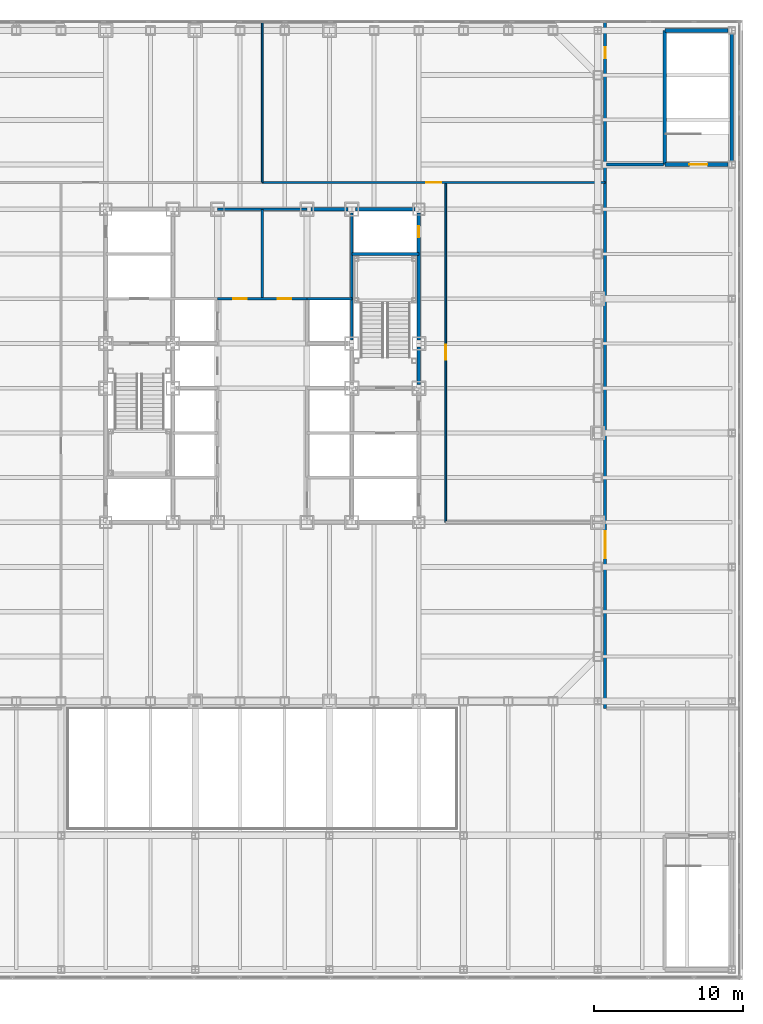
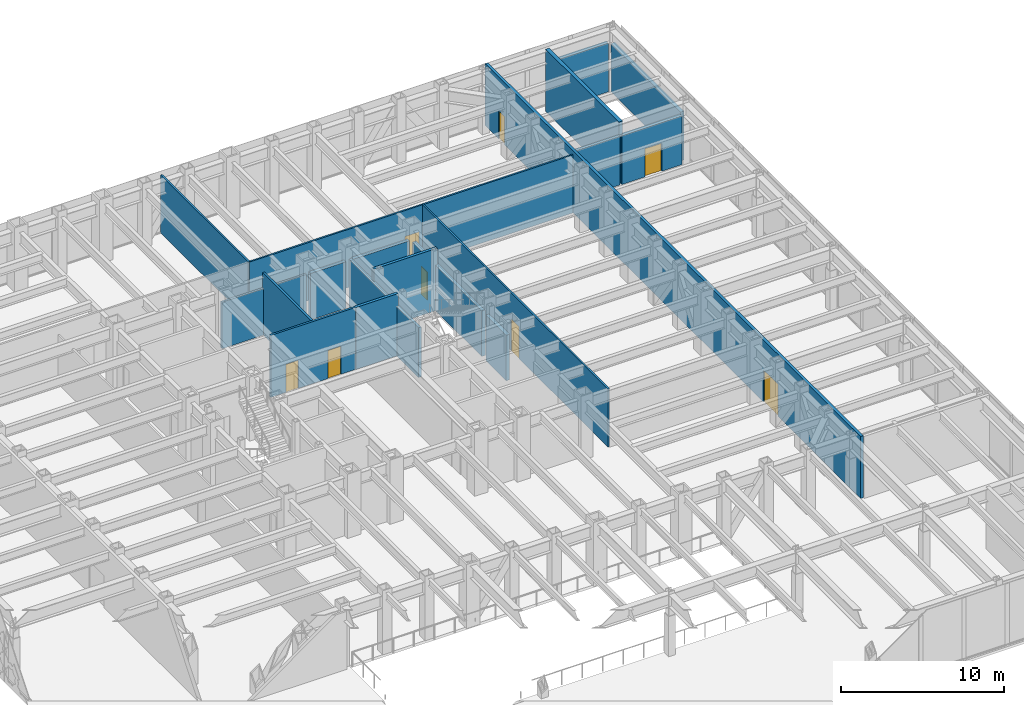
# One storey, part 15 of 24: 19 walls, 8 doors, 8 openings.
"""IFC4 building model written with IfcOpenShell, lengths in metres."""

from ifc_helpers import new_model, si_unit, direction, frame, frame_2d, origin, place, context, subcontext, project, spatial, rectangle, extrude, material, layer, layer_set, type_object, element, fill, save


model = new_model("IFC4")

# Units and contexts
model_context = context("Model", 3, precision=1e-05, world=origin(), true_north=direction((0.0, 1.0)))
body_context = subcontext(model_context, "Body", "Model", "MODEL_VIEW")
ifc_project = project(units=[si_unit("LENGTHUNIT", "METRE"), si_unit("AREAUNIT", "SQUARE_METRE"), si_unit("VOLUMEUNIT", "CUBIC_METRE"), si_unit("PLANEANGLEUNIT", "RADIAN"), si_unit("MASSUNIT", "GRAM", prefix="KILO")], contexts=[model_context])

# Site, building, storey
site_placement = place(None, origin())
site = spatial("IfcSite", under=ifc_project, at=site_placement, CompositionType="ELEMENT")
building_placement = place(site_placement, origin())
building = spatial("IfcBuilding", under=site, at=building_placement, Name="Chuquiago Exchange Tower", CompositionType="ELEMENT")
storey_placement = place(building_placement, frame((0.0, 0.0, 19.5)))
storey = spatial("IfcBuildingStorey", under=building, at=storey_placement, Name="L03", CompositionType="ELEMENT", Elevation=19.5)

# Walls
ifc_material_1 = material(Name="Concrete masonry, fully grouted", Category="masonry")
ifc_layer_1 = layer(ifc_material_1, 0.25)
ifc_layer_set_1 = layer_set([ifc_layer_1], Name="W1 core wall 250")
wall_type_1 = type_object("IfcWallType", Name="W1 core wall 250", PredefinedType="SOLIDWALL", material=ifc_layer_set_1)
wall_1_placement = place(storey_placement, frame((25.75, 33.0, 0.0), z_axis=(0.0, 0.0, 1.0), x_axis=(1.0, 0.0, 0.0)))
element("IfcWall", 1, at=wall_1_placement, inside=storey, type_object=wall_type_1, Name="CW-L03-12-0", PredefinedType="SOLIDWALL", context=body_context, shape_type="SweptSolid", body=[
    extrude(rectangle(XDim=2.5, YDim=0.25, at=frame_2d((1.25, 0.0))), origin(), (0.0, 0.0, 1.0), 3.4814453125),
])
wall_2_placement = place(storey_placement, frame((28.75, 33.0, 0.0), z_axis=(0.0, 0.0, 1.0), x_axis=(1.0, 0.0, 0.0)))
element("IfcWall", 2, at=wall_2_placement, inside=storey, type_object=wall_type_1, Name="CW-L03-12-1", PredefinedType="SOLIDWALL", context=body_context, shape_type="SweptSolid", body=[
    extrude(rectangle(XDim=4.0, YDim=0.25, at=frame_2d((2.0, 0.0))), origin(), (0.0, 0.0, 1.0), 3.4814453125),
])
wall_3_placement = place(storey_placement, frame((33.0, 21.25, 0.0), z_axis=(0.0, 0.0, 1.0), x_axis=(0.0, 1.0, 0.0)))
element("IfcWall", 3, at=wall_3_placement, inside=storey, type_object=wall_type_1, Name="CW-L03-25-1", PredefinedType="SOLIDWALL", context=body_context, shape_type="SweptSolid", body=[
    extrude(rectangle(XDim=2.5, YDim=0.25, at=frame_2d((1.25, 0.0))), origin(), (0.0, 0.0, 1.0), 3.412841796875),
])

# Wall, opening, door
wall_4_placement = place(storey_placement, frame((33.0, 24.25, 0.0), z_axis=(0.0, 0.0, 1.0), x_axis=(0.0, 1.0, 0.0)))
wall_4 = element("IfcWall", 4, at=wall_4_placement, inside=storey, type_object=wall_type_1, Name="CW-L03-25-2", PredefinedType="SOLIDWALL", context=body_context, shape_type="SweptSolid", body=[
    extrude(rectangle(XDim=8.5, YDim=0.25, at=frame_2d((4.25, 0.0))), origin(), (0.0, 0.0, 1.0), 3.412841796875),
])
opening_1_placement = place(wall_4_placement, frame((6.875, 0.0, 0.0)))
opening_1 = element("IfcOpeningElement", 5, at=opening_1_placement, cuts=wall_4, Name="Opening L03-010", PredefinedType="OPENING", context=body_context, shape_type="SweptSolid", body=[
    extrude(rectangle(XDim=0.75, YDim=2.10009765625, at=frame_2d((0.375, 1.050048828125))), frame((0.0, 0.135009765625, 0.0), z_axis=(0.0, -1.0, 0.0), x_axis=(1.0, 0.0, 0.0)), (0.0, 0.0, 1.0), 0.27001953125),
])
ifc_material_2 = material(Name="Steel door, painted", Category="steel")
door_type_1 = type_object("IfcDoorType", Name="D6 riser access door 750x2100", OperationType="SINGLE_SWING_LEFT", PredefinedType="DOOR", material=ifc_material_2)
door_1_placement = place(opening_1_placement, origin())
door_1 = element("IfcDoor", 6, at=door_1_placement, inside=storey, type_object=door_type_1, Name="Riser RE2 door", OperationType="SINGLE_SWING_RIGHT", OverallHeight=2.10009765625, OverallWidth=0.75, PredefinedType="DOOR", context=body_context, shape_type="SweptSolid", body=[
    extrude(rectangle(XDim=0.75, YDim=2.10009765625, at=frame_2d((0.375, 1.050048828125))), frame((0.0, 0.02490234375, 0.0), z_axis=(0.0, -1.0, 0.0), x_axis=(1.0, 0.0, 0.0)), (0.0, 0.0, 1.0), 0.050048828125),
])
fill(opening_1, door_1)

ifc_material_3 = material(Name="Concrete masonry, fully grouted", Category="masonry")
ifc_layer_2 = layer(ifc_material_3, 0.25)
ifc_layer_set_2 = layer_set([ifc_layer_2], Name="W10 podium stair wall 250")
wall_type_2 = type_object("IfcWallType", Name="W10 podium stair wall 250", PredefinedType="SOLIDWALL", material=ifc_layer_set_2)
wall_5_placement = place(storey_placement, frame((49.5, 36.0, 0.0), z_axis=(0.0, 0.0, 1.0), x_axis=(1.0, 0.0, 0.0)))
wall_5 = element("IfcWall", 7, at=wall_5_placement, inside=storey, type_object=wall_type_2, Name="PSW-L03-PS4-00", PredefinedType="SOLIDWALL", context=body_context, shape_type="SweptSolid", body=[
    extrude(rectangle(XDim=4.25, YDim=0.25, at=frame_2d((2.125, 0.0))), origin(), (0.0, 0.0, 1.0), 3.652587890625),
])
opening_2_placement = place(wall_5_placement, frame((1.64990234375, 0.0, 0.0)))
opening_2 = element("IfcOpeningElement", 8, at=opening_2_placement, cuts=wall_5, Name="Opening L03-029", PredefinedType="OPENING", context=body_context, shape_type="SweptSolid", body=[
    extrude(rectangle(XDim=1.199951171875, YDim=2.10009765625, at=frame_2d((0.60009765625, 1.050048828125))), frame((0.0, 0.135009765625, 0.0), z_axis=(0.0, -1.0, 0.0), x_axis=(1.0, 0.0, 0.0)), (0.0, 0.0, 1.0), 0.27001953125),
])
ifc_material_4 = material(Name="Steel door, painted", Category="steel")
door_type_2 = type_object("IfcDoorType", Name="D4 stair door 1200x2100", OperationType="SINGLE_SWING_LEFT", PredefinedType="DOOR", material=ifc_material_4)
door_2_placement = place(opening_2_placement, origin())
door_2 = element("IfcDoor", 9, at=door_2_placement, inside=storey, type_object=door_type_2, Name="Stair PS4 door", OperationType="SINGLE_SWING_RIGHT", OverallHeight=2.10009765625, OverallWidth=1.199951171875, PredefinedType="DOOR", context=body_context, shape_type="SweptSolid", body=[
    extrude(rectangle(XDim=1.199951171875, YDim=2.10009765625, at=frame_2d((0.60009765625, 1.050048828125))), frame((0.0, 0.02490234375, 0.0), z_axis=(0.0, -1.0, 0.0), x_axis=(1.0, 0.0, 0.0)), (0.0, 0.0, 1.0), 0.050048828125),
])
fill(opening_2, door_2)

# Walls
wall_6_placement = place(storey_placement, frame((54.0, 36.25, 0.0), z_axis=(0.0, 0.0, 1.0), x_axis=(0.0, 1.0, 0.0)))
element("IfcWall", 10, at=wall_6_placement, inside=storey, type_object=wall_type_2, Name="PSW-L03-PS4-10", PredefinedType="SOLIDWALL", context=body_context, shape_type="SweptSolid", body=[
    extrude(rectangle(XDim=8.5, YDim=0.25, at=frame_2d((4.25, 0.0))), origin(), (0.0, 0.0, 1.0), 3.652587890625),
])
wall_7_placement = place(storey_placement, frame((49.5, 45.0, 0.0), z_axis=(0.0, 0.0, 1.0), x_axis=(1.0, 0.0, 0.0)))
element("IfcWall", 11, at=wall_7_placement, inside=storey, type_object=wall_type_2, Name="PSW-L03-PS4-20", PredefinedType="SOLIDWALL", context=body_context, shape_type="SweptSolid", body=[
    extrude(rectangle(XDim=4.25, YDim=0.25, at=frame_2d((2.125, 0.0))), origin(), (0.0, 0.0, 1.0), 3.652587890625),
])
wall_8_placement = place(storey_placement, frame((49.5, 36.0, 0.0), z_axis=(0.0, 0.0, 1.0), x_axis=(0.0, 1.0, 0.0)))
element("IfcWall", 12, at=wall_8_placement, inside=storey, type_object=wall_type_2, Name="PSW-L03-PS4-30", PredefinedType="SOLIDWALL", context=body_context, shape_type="SweptSolid", body=[
    extrude(rectangle(XDim=9.0, YDim=0.25, at=frame_2d((4.5, 0.0))), origin(), (0.0, 0.0, 1.0), 4.639892578125),
])
ifc_material_5 = material(Name="Concrete masonry, fully grouted", Category="masonry")
ifc_layer_3 = layer(ifc_material_5, 0.199951171875)
ifc_layer_set_3 = layer_set([ifc_layer_3], Name="W2 shaft wall 200")
wall_type_3 = type_object("IfcWallType", Name="W2 shaft wall 200", PredefinedType="SOLIDWALL", material=ifc_layer_set_3)
wall_9_placement = place(storey_placement, frame((25.5, 27.0, 0.0), z_axis=(0.0, 0.0, 1.0), x_axis=(1.0, 0.0, 0.0)))
element("IfcWall", 13, at=wall_9_placement, inside=storey, type_object=wall_type_3, Name="CW-L03-08-0", PredefinedType="SOLIDWALL", context=body_context, shape_type="SweptSolid", body=[
    extrude(rectangle(XDim=3.0, YDim=0.199951171875, at=frame_2d((1.5, 0.0))), origin(), (0.0, 0.0, 1.0), 4.639892578125),
])
wall_10_placement = place(storey_placement, frame((28.5, 30.0, 0.0), z_axis=(0.0, 0.0, 1.0), x_axis=(1.0, 0.0, 0.0)))
element("IfcWall", 14, at=wall_10_placement, inside=storey, type_object=wall_type_3, Name="CW-L03-10-0", PredefinedType="SOLIDWALL", context=body_context, shape_type="SweptSolid", body=[
    extrude(rectangle(XDim=4.5, YDim=0.199951171875, at=frame_2d((2.25, 0.0))), origin(), (0.0, 0.0, 1.0), 4.639892578125),
])
wall_11_placement = place(storey_placement, frame((28.5, 24.25, 0.0), z_axis=(0.0, 0.0, 1.0), x_axis=(0.0, 1.0, 0.0)))
element("IfcWall", 15, at=wall_11_placement, inside=storey, type_object=wall_type_3, Name="CW-L03-24-2", PredefinedType="SOLIDWALL", context=body_context, shape_type="SweptSolid", body=[
    extrude(rectangle(XDim=8.5, YDim=0.199951171875, at=frame_2d((4.25, 0.0))), origin(), (0.0, 0.0, 1.0), 3.712890625),
])

# Wall, openings, doors
ifc_material_6 = material(Name="Gypsum board on steel studs", Category="steel")
ifc_layer_4 = layer(ifc_material_6, 0.14990234375)
ifc_layer_set_4 = layer_set([ifc_layer_4], Name="W3 core partition 150")
wall_type_4 = type_object("IfcWallType", Name="W3 core partition 150", PredefinedType="PARTITIONING", material=ifc_layer_set_4)
wall_12_placement = place(storey_placement, frame((19.5, 27.0, 0.0), z_axis=(0.0, 0.0, 1.0), x_axis=(1.0, 0.0, 0.0)))
wall_12 = element("IfcWall", 16, at=wall_12_placement, inside=storey, type_object=wall_type_4, Name="CW-L03-TF", PredefinedType="PARTITIONING", context=body_context, shape_type="SweptSolid", body=[
    extrude(rectangle(XDim=6.0, YDim=0.14990234375, at=frame_2d((3.0, 0.0))), origin(), (0.0, 0.0, 1.0), 4.639892578125),
])
opening_3_placement = place(wall_12_placement, frame((1.050048828125, 0.0, 0.0)))
opening_3 = element("IfcOpeningElement", 17, at=opening_3_placement, cuts=wall_12, Name="Opening L03-011", PredefinedType="OPENING", context=body_context, shape_type="SweptSolid", body=[
    extrude(rectangle(XDim=0.89990234375, YDim=2.10009765625, at=frame_2d((0.449951171875, 1.050048828125))), frame((0.0, 0.0849609375, 0.0), z_axis=(0.0, -1.0, 0.0), x_axis=(1.0, 0.0, 0.0)), (0.0, 0.0, 1.0), 0.169921875),
])
opening_4_placement = place(wall_12_placement, frame((4.050048828125, 0.0, 0.0)))
opening_4 = element("IfcOpeningElement", 18, at=opening_4_placement, cuts=wall_12, Name="Opening L03-012", PredefinedType="OPENING", context=body_context, shape_type="SweptSolid", body=[
    extrude(rectangle(XDim=0.89990234375, YDim=2.10009765625, at=frame_2d((0.449951171875, 1.050048828125))), frame((0.0, 0.0849609375, 0.0), z_axis=(0.0, -1.0, 0.0), x_axis=(1.0, 0.0, 0.0)), (0.0, 0.0, 1.0), 0.169921875),
])
ifc_material_7 = material(Name="Timber door, laminate faced", Category="wood")
door_type_3 = type_object("IfcDoorType", Name="D7 toilet door 900x2100", OperationType="SINGLE_SWING_LEFT", PredefinedType="DOOR", material=ifc_material_7)
door_3_placement = place(opening_3_placement, origin())
door_3 = element("IfcDoor", 19, at=door_3_placement, inside=storey, type_object=door_type_3, Name="Male WC door", OperationType="SINGLE_SWING_RIGHT", OverallHeight=2.10009765625, OverallWidth=0.89990234375, PredefinedType="DOOR", context=body_context, shape_type="SweptSolid", body=[
    extrude(rectangle(XDim=0.89990234375, YDim=2.10009765625, at=frame_2d((0.449951171875, 1.050048828125))), frame((0.0, 0.02490234375, 0.0), z_axis=(0.0, -1.0, 0.0), x_axis=(1.0, 0.0, 0.0)), (0.0, 0.0, 1.0), 0.050048828125),
])
fill(opening_3, door_3)
door_4_placement = place(opening_4_placement, origin())
door_4 = element("IfcDoor", 20, at=door_4_placement, inside=storey, type_object=door_type_3, Name="Female WC door", OperationType="SINGLE_SWING_LEFT", OverallHeight=2.10009765625, OverallWidth=0.89990234375, PredefinedType="DOOR", context=body_context, shape_type="SweptSolid", body=[
    extrude(rectangle(XDim=0.89990234375, YDim=2.10009765625, at=frame_2d((0.449951171875, 1.050048828125))), frame((0.0, 0.02490234375, 0.0), z_axis=(0.0, -1.0, 0.0), x_axis=(1.0, 0.0, 0.0)), (0.0, 0.0, 1.0), 0.050048828125),
])
fill(opening_4, door_4)

# Walls
wall_13_placement = place(storey_placement, frame((22.5, 27.0, 0.0), z_axis=(0.0, 0.0, 1.0), x_axis=(0.0, 1.0, 0.0)))
element("IfcWall", 21, at=wall_13_placement, inside=storey, type_object=wall_type_4, Name="CW-L03-TM", PredefinedType="PARTITIONING", context=body_context, shape_type="SweptSolid", body=[
    extrude(rectangle(XDim=6.0, YDim=0.14990234375, at=frame_2d((3.0, 0.0))), origin(), (0.0, 0.0, 1.0), 4.639892578125),
])
wall_14_placement = place(storey_placement, frame((19.5, 33.0, 0.0), z_axis=(0.0, 0.0, 1.0), x_axis=(1.0, 0.0, 0.0)))
element("IfcWall", 22, at=wall_14_placement, inside=storey, type_object=wall_type_4, Name="CW-L03-TB", PredefinedType="PARTITIONING", context=body_context, shape_type="SweptSolid", body=[
    extrude(rectangle(XDim=6.0, YDim=0.14990234375, at=frame_2d((3.0, 0.0))), origin(), (0.0, 0.0, 1.0), 3.4814453125),
])

# Wall, opening, door
ifc_material_8 = material(Name="Gypsum board on steel studs", Category="steel")
ifc_layer_5 = layer(ifc_material_8, 0.1201171875)
ifc_layer_set_5 = layer_set([ifc_layer_5], Name="W4 partition 120")
wall_type_5 = type_object("IfcWallType", Name="W4 partition 120", PredefinedType="PARTITIONING", material=ifc_layer_set_5)
wall_15_placement = place(storey_placement, frame((22.5, 34.800048828125, 0.0), z_axis=(0.0, 0.0, 1.0), x_axis=(1.0, 0.0, 0.0)))
wall_15 = element("IfcWall", 23, at=wall_15_placement, inside=storey, type_object=wall_type_5, Name="PW-L03-P1", PredefinedType="PARTITIONING", context=body_context, shape_type="SweptSolid", body=[
    extrude(rectangle(XDim=23.0, YDim=0.1201171875, at=frame_2d((11.5, 0.0))), origin(), (0.0, 0.0, 1.0), 4.340087890625),
])
opening_5_placement = place(wall_15_placement, frame((11.0, 0.0, 0.0)))
opening_5 = element("IfcOpeningElement", 24, at=opening_5_placement, cuts=wall_15, Name="Opening L03-020", PredefinedType="OPENING", context=body_context, shape_type="SweptSolid", body=[
    extrude(rectangle(XDim=1.0, YDim=2.39990234375, at=frame_2d((0.5, 1.199951171875))), frame((0.0, 0.070068359375, 0.0), z_axis=(0.0, -1.0, 0.0), x_axis=(1.0, 0.0, 0.0)), (0.0, 0.0, 1.0), 0.14013671875),
])
ifc_material_9 = material(Name="Timber door, laminate faced", Category="wood")
door_type_4 = type_object("IfcDoorType", Name="D9 room door 1000x2400", OperationType="SINGLE_SWING_LEFT", PredefinedType="DOOR", material=ifc_material_9)
door_5_placement = place(opening_5_placement, origin())
door_5 = element("IfcDoor", 25, at=door_5_placement, inside=storey, type_object=door_type_4, Name="Network engineering office door", OperationType="SINGLE_SWING_LEFT", OverallHeight=2.39990234375, OverallWidth=1.0, PredefinedType="DOOR", context=body_context, shape_type="SweptSolid", body=[
    extrude(rectangle(XDim=1.0, YDim=2.39990234375, at=frame_2d((0.5, 1.199951171875))), frame((0.0, 0.02490234375, 0.0), z_axis=(0.0, -1.0, 0.0), x_axis=(1.0, 0.0, 0.0)), (0.0, 0.0, 1.0), 0.050048828125),
])
fill(opening_5, door_5)

wall_16_placement = place(storey_placement, frame((34.800048828125, 12.0, 0.0), z_axis=(0.0, 0.0, 1.0), x_axis=(0.0, 1.0, 0.0)))
wall_16 = element("IfcWall", 26, at=wall_16_placement, inside=storey, type_object=wall_type_5, Name="PW-L03-P3", PredefinedType="PARTITIONING", context=body_context, shape_type="SweptSolid", body=[
    extrude(rectangle(XDim=22.800048828125, YDim=0.1201171875, at=frame_2d((11.39990234375, 0.0))), origin(), (0.0, 0.0, 1.0), 4.340087890625),
])
opening_6_placement = place(wall_16_placement, frame((10.89990234375, 0.0, 0.0)))
opening_6 = element("IfcOpeningElement", 27, at=opening_6_placement, cuts=wall_16, Name="Opening L03-022", PredefinedType="OPENING", context=body_context, shape_type="SweptSolid", body=[
    extrude(rectangle(XDim=1.0, YDim=2.39990234375, at=frame_2d((0.5, 1.199951171875))), frame((0.0, 0.070068359375, 0.0), z_axis=(0.0, -1.0, 0.0), x_axis=(1.0, 0.0, 0.0)), (0.0, 0.0, 1.0), 0.14013671875),
])
door_6_placement = place(opening_6_placement, frame((1.0, 0.0, 0.0), z_axis=(0.0, 0.0, 1.0), x_axis=(-1.0, 0.0, 0.0)))
door_6 = element("IfcDoor", 28, at=door_6_placement, inside=storey, type_object=door_type_4, Name="Systems engineering office door", OperationType="SINGLE_SWING_LEFT", OverallHeight=2.39990234375, OverallWidth=1.0, PredefinedType="DOOR", context=body_context, shape_type="SweptSolid", body=[
    extrude(rectangle(XDim=1.0, YDim=2.39990234375, at=frame_2d((0.5, 1.199951171875))), frame((0.0, 0.02490234375, 0.0), z_axis=(0.0, -1.0, 0.0), x_axis=(1.0, 0.0, 0.0)), (0.0, 0.0, 1.0), 0.050048828125),
])
fill(opening_6, door_6)

# Wall
wall_17_placement = place(storey_placement, frame((22.5, 34.800048828125, 0.0), z_axis=(0.0, 0.0, 1.0), x_axis=(0.0, 1.0, 0.0)))
element("IfcWall", 29, at=wall_17_placement, inside=storey, type_object=wall_type_5, Name="PW-L03-Q0", PredefinedType="PARTITIONING", context=body_context, shape_type="SweptSolid", body=[
    extrude(rectangle(XDim=10.742919921875, YDim=0.1201171875, at=frame_2d((5.37158203125, 0.0))), origin(), (0.0, 0.0, 1.0), 4.340087890625),
])

# Wall, openings, doors
ifc_material_10 = material(Name="Gypsum board on steel studs, double layer", Category="steel")
ifc_layer_6 = layer(ifc_material_10, 0.199951171875)
ifc_layer_set_6 = layer_set([ifc_layer_6], Name="W6 wing partition 200")
wall_type_6 = type_object("IfcWallType", Name="W6 wing partition 200", PredefinedType="PARTITIONING", material=ifc_layer_set_6)
wall_18_placement = place(storey_placement, frame((45.5, -0.5, 0.0), z_axis=(0.0, 0.0, 1.0), x_axis=(0.0, 1.0, 0.0)))
wall_18 = element("IfcWall", 30, at=wall_18_placement, inside=storey, type_object=wall_type_6, Name="WW-L03-E", PredefinedType="PARTITIONING", context=body_context, shape_type="SweptSolid", body=[
    extrude(rectangle(XDim=46.017578125, YDim=0.199951171875, at=frame_2d((23.0087890625, 0.0))), origin(), (0.0, 0.0, 1.0), 4.639892578125),
])
opening_7_placement = place(wall_18_placement, frame((43.625, 0.0, 0.0)))
opening_7 = element("IfcOpeningElement", 31, at=opening_7_placement, cuts=wall_18, Name="Opening L03-023", PredefinedType="OPENING", context=body_context, shape_type="SweptSolid", body=[
    extrude(rectangle(XDim=0.75, YDim=2.10009765625, at=frame_2d((0.375, 1.050048828125))), frame((0.0, 0.10986328125, 0.0), z_axis=(0.0, -1.0, 0.0), x_axis=(1.0, 0.0, 0.0)), (0.0, 0.0, 1.0), 0.219970703125),
])
opening_8_placement = place(wall_18_placement, frame((10.10009765625, 0.0, 0.0)))
opening_8 = element("IfcOpeningElement", 32, at=opening_8_placement, cuts=wall_18, Name="Opening L03-025", PredefinedType="OPENING", context=body_context, shape_type="SweptSolid", body=[
    extrude(rectangle(XDim=1.800048828125, YDim=2.39990234375, at=frame_2d((0.89990234375, 1.199951171875))), frame((0.0, 0.10986328125, 0.0), z_axis=(0.0, -1.0, 0.0), x_axis=(1.0, 0.0, 0.0)), (0.0, 0.0, 1.0), 0.219970703125),
])
ifc_material_11 = material(Name="Timber door, laminate faced", Category="wood")
door_type_5 = type_object("IfcDoorType", Name="D10 double door 1800x2400", OperationType="DOUBLE_DOOR_DOUBLE_SWING", PredefinedType="DOOR", material=ifc_material_11)
door_7_placement = place(opening_8_placement, origin())
door_7 = element("IfcDoor", 33, at=door_7_placement, inside=storey, type_object=door_type_5, Name="UPS and battery room door", OperationType="DOUBLE_DOOR_DOUBLE_SWING", OverallHeight=2.39990234375, OverallWidth=1.800048828125, PredefinedType="DOOR", context=body_context, shape_type="SweptSolid", body=[
    extrude(rectangle(XDim=1.800048828125, YDim=2.39990234375, at=frame_2d((0.89990234375, 1.199951171875))), frame((0.0, 0.02490234375, 0.0), z_axis=(0.0, -1.0, 0.0), x_axis=(1.0, 0.0, 0.0)), (0.0, 0.0, 1.0), 0.050048828125),
])
fill(opening_8, door_7)
door_8_placement = place(opening_7_placement, origin())
door_8 = element("IfcDoor", 34, at=door_8_placement, inside=storey, type_object=door_type_1, Name="Podium air handling plant room door", OperationType="SINGLE_SWING_RIGHT", OverallHeight=2.10009765625, OverallWidth=0.75, PredefinedType="DOOR", context=body_context, shape_type="SweptSolid", body=[
    extrude(rectangle(XDim=0.75, YDim=2.10009765625, at=frame_2d((0.375, 1.050048828125))), frame((0.0, 0.02490234375, 0.0), z_axis=(0.0, -1.0, 0.0), x_axis=(1.0, 0.0, 0.0)), (0.0, 0.0, 1.0), 0.050048828125),
])
fill(opening_7, door_8)

# Wall
wall_19_placement = place(storey_placement, frame((45.60009765625, 36.0, 0.0), z_axis=(0.0, 0.0, 1.0), x_axis=(1.0, 0.0, 0.0)))
element("IfcWall", 35, at=wall_19_placement, inside=storey, type_object=wall_type_6, Name="WW-L03-EP", PredefinedType="PARTITIONING", context=body_context, shape_type="SweptSolid", body=[
    extrude(rectangle(XDim=3.7998046875, YDim=0.199951171875, at=frame_2d((1.89990234375, 0.0))), origin(), (0.0, 0.0, 1.0), 3.652587890625),
])

save(model, "model.ifc")
